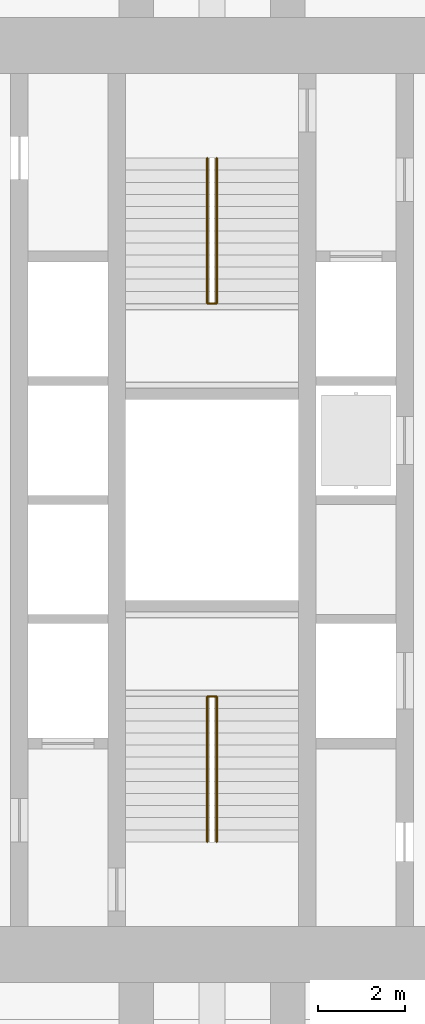
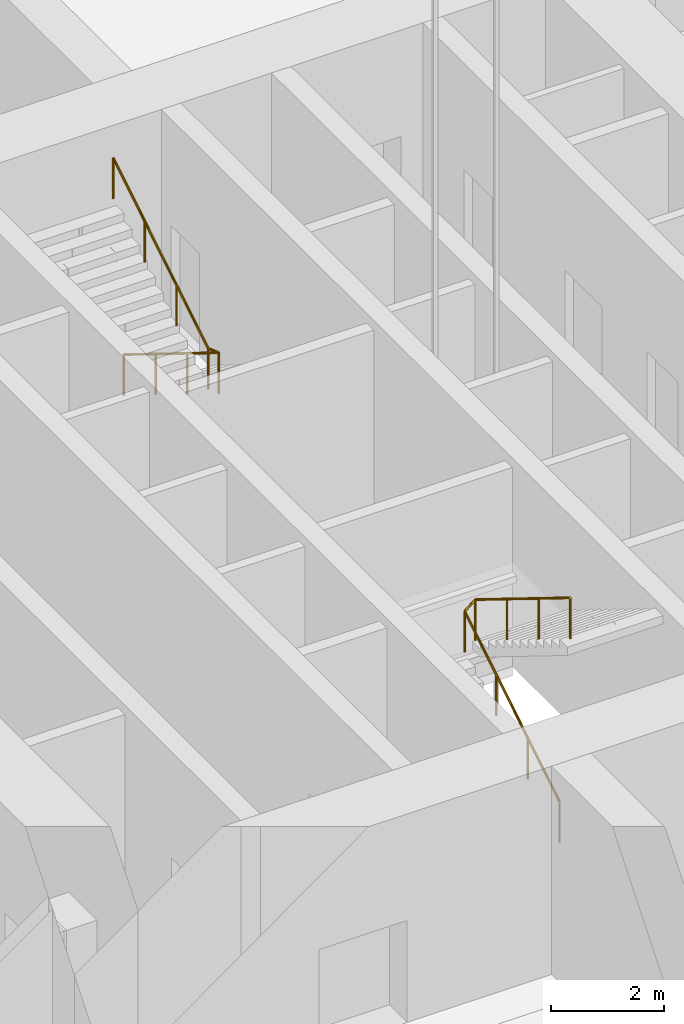
# One storey, part 19 of 34: 2 railings.
"""IFC4 building model written with IfcOpenShell, lengths in metres."""

from ifc_helpers import new_model, si_unit, direction, frame, origin, origin_2d, place, context, subcontext, project, spatial, circle, extrude, material, type_object, element, save


model = new_model("IFC4")

# Units and contexts
model_context = context("Model", 3, precision=1e-05, world=origin(), true_north=direction((0.0, 1.0)))
body_context = subcontext(model_context, "Body", "Model", "MODEL_VIEW")
ifc_project = project(units=[si_unit("LENGTHUNIT", "METRE"), si_unit("AREAUNIT", "SQUARE_METRE"), si_unit("VOLUMEUNIT", "CUBIC_METRE"), si_unit("PLANEANGLEUNIT", "RADIAN"), si_unit("MASSUNIT", "GRAM", prefix="KILO")], contexts=[model_context])

# Site, building, storey
site_placement = place(None, origin())
site = spatial("IfcSite", under=ifc_project, at=site_placement, CompositionType="ELEMENT")
building_placement = place(site_placement, origin())
building = spatial("IfcBuilding", under=site, at=building_placement, Name="Mizan Broadcast Tower", CompositionType="ELEMENT")
storey_placement = place(building_placement, frame((0.0, 0.0, 194.39990234375)))
storey = spatial("IfcBuildingStorey", under=building, at=storey_placement, Name="L45", CompositionType="ELEMENT", Elevation=194.39990234375)

# Railings
ifc_material = material(Name="Stainless steel", Category="steel")
railing_type = type_object("IfcRailingType", Name="HANDRAIL 50", PredefinedType="HANDRAIL", material=ifc_material)
railing_1_placement = place(storey_placement, frame((-0.110107421875, -7.89990234375, 0.173095703125)))
element("IfcRailing", 1, at=railing_1_placement, inside=storey, type_object=railing_type, Name="Stair A handrail", PredefinedType="HANDRAIL", context=body_context, shape_type="SweptSolid", body=[
    extrude(circle(Radius=0.02392578125, at=origin_2d()), frame((0.0, 0.0, 0.8759765625), z_axis=(0.0, 0.850606129759, 0.525803396734), x_axis=(-1.0, 0.0, 0.0)), (0.0, 0.0, 1.0), 3.949951171875),
    extrude(circle(Radius=0.02392578125, at=origin_2d()), frame((0.0, 3.35986328125, 2.95263671875), z_axis=(0.786197342391, 0.0, 0.617975516358), x_axis=(0.0, 1.0, 0.0)), (0.0, 0.0, 1.0), 0.280029296875),
    extrude(circle(Radius=0.02392578125, at=origin_2d()), frame((0.22021484375, 3.35986328125, 3.1259765625), z_axis=(0.0, -0.850606129759, 0.525803396734), x_axis=(1.0, 0.0, 0.0)), (0.0, 0.0, 1.0), 3.949951171875),
    extrude(circle(Radius=0.02099609375, at=origin_2d()), origin(), (0.0, 0.0, 1.0), 0.851806640625),
    extrude(circle(Radius=0.02099609375, at=origin_2d()), frame((0.0, 1.119873046875, 0.6923828125)), (0.0, 0.0, 1.0), 0.851806640625),
    extrude(circle(Radius=0.02099609375, at=origin_2d()), frame((0.0, 2.239990234375, 1.384521484375)), (0.0, 0.0, 1.0), 0.851806640625),
    extrude(circle(Radius=0.02099609375, at=origin_2d()), frame((0.0, 3.35986328125, 2.076904296875)), (0.0, 0.0, 1.0), 0.851806640625),
    extrude(circle(Radius=0.02099609375, at=origin_2d()), frame((0.22021484375, 3.35986328125, 2.25)), (0.0, 0.0, 1.0), 0.851806640625),
    extrude(circle(Radius=0.02099609375, at=origin_2d()), frame((0.22021484375, 2.239990234375, 2.9423828125)), (0.0, 0.0, 1.0), 0.851806640625),
    extrude(circle(Radius=0.02099609375, at=origin_2d()), frame((0.22021484375, 1.119873046875, 3.634521484375)), (0.0, 0.0, 1.0), 0.851806640625),
    extrude(circle(Radius=0.02099609375, at=origin_2d()), frame((0.22021484375, 0.0, 4.326904296875)), (0.0, 0.0, 1.0), 0.851806640625),
])
railing_2_placement = place(storey_placement, frame((0.110107421875, 7.89990234375, 0.173095703125)))
element("IfcRailing", 2, at=railing_2_placement, inside=storey, type_object=railing_type, Name="Stair B handrail", PredefinedType="HANDRAIL", context=body_context, shape_type="SweptSolid", body=[
    extrude(circle(Radius=0.02392578125, at=origin_2d()), frame((0.0, 0.0, 0.8759765625), z_axis=(0.0, -0.850606129759, 0.525803396734), x_axis=(1.0, 0.0, 0.0)), (0.0, 0.0, 1.0), 3.949951171875),
    extrude(circle(Radius=0.02392578125, at=origin_2d()), frame((0.0, -3.35986328125, 2.95263671875), z_axis=(-0.786197342391, 0.0, 0.617975516358), x_axis=(0.0, -1.0, 0.0)), (0.0, 0.0, 1.0), 0.280029296875),
    extrude(circle(Radius=0.02392578125, at=origin_2d()), frame((-0.22021484375, -3.35986328125, 3.1259765625), z_axis=(0.0, 0.850606129759, 0.525803396734), x_axis=(-1.0, 0.0, 0.0)), (0.0, 0.0, 1.0), 3.949951171875),
    extrude(circle(Radius=0.02099609375, at=origin_2d()), origin(), (0.0, 0.0, 1.0), 0.851806640625),
    extrude(circle(Radius=0.02099609375, at=origin_2d()), frame((0.0, -1.119873046875, 0.6923828125)), (0.0, 0.0, 1.0), 0.851806640625),
    extrude(circle(Radius=0.02099609375, at=origin_2d()), frame((0.0, -2.239990234375, 1.384521484375)), (0.0, 0.0, 1.0), 0.851806640625),
    extrude(circle(Radius=0.02099609375, at=origin_2d()), frame((0.0, -3.35986328125, 2.076904296875)), (0.0, 0.0, 1.0), 0.851806640625),
    extrude(circle(Radius=0.02099609375, at=origin_2d()), frame((-0.22021484375, -3.35986328125, 2.25)), (0.0, 0.0, 1.0), 0.851806640625),
    extrude(circle(Radius=0.02099609375, at=origin_2d()), frame((-0.22021484375, -2.239990234375, 2.9423828125)), (0.0, 0.0, 1.0), 0.851806640625),
    extrude(circle(Radius=0.02099609375, at=origin_2d()), frame((-0.22021484375, -1.119873046875, 3.634521484375)), (0.0, 0.0, 1.0), 0.851806640625),
    extrude(circle(Radius=0.02099609375, at=origin_2d()), frame((-0.22021484375, 0.0, 4.326904296875)), (0.0, 0.0, 1.0), 0.851806640625),
])

save(model, "model.ifc")
